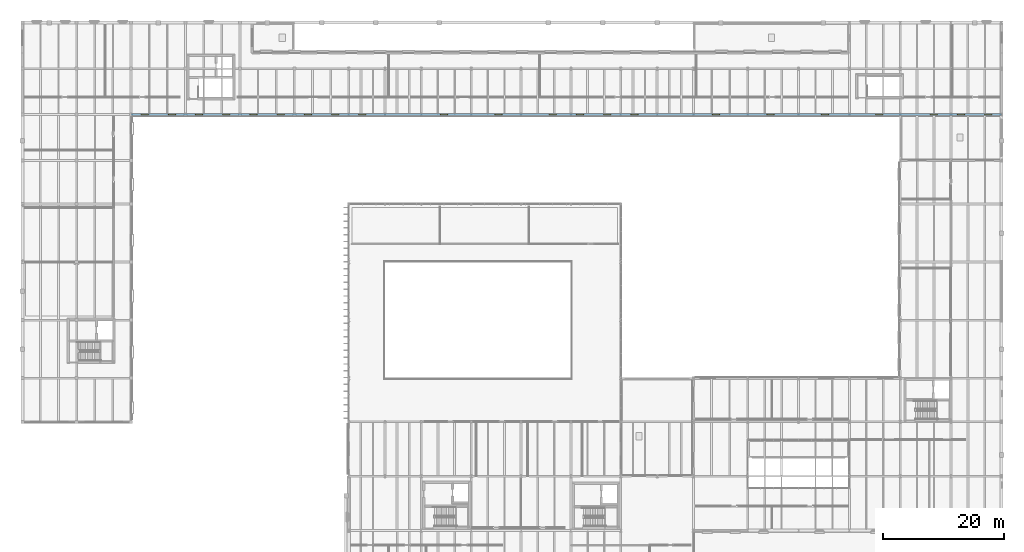
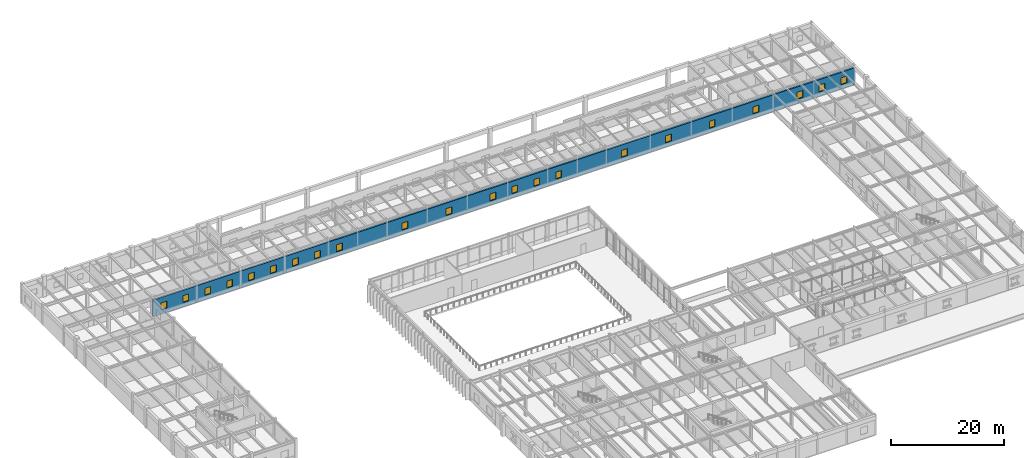
# One storey, part 49 of 64: 22 windows, 1 wall, 22 openings.
"""IFC4 building model written with IfcOpenShell, lengths in metres."""

from ifc_helpers import new_model, si_unit, direction, frame, frame_2d, origin, place, context, subcontext, project, spatial, rectangle, extrude, material, layer, layer_set, type_object, element, fill, save


model = new_model("IFC4")

# Units and contexts
model_context = context("Model", 3, precision=1e-05, world=origin(), true_north=direction((0.0, 1.0)))
body_context = subcontext(model_context, "Body", "Model", "MODEL_VIEW")
ifc_project = project(units=[si_unit("LENGTHUNIT", "METRE"), si_unit("AREAUNIT", "SQUARE_METRE"), si_unit("VOLUMEUNIT", "CUBIC_METRE"), si_unit("PLANEANGLEUNIT", "RADIAN"), si_unit("MASSUNIT", "GRAM", prefix="KILO")], contexts=[model_context])

# Site, building, storey
site_placement = place(None, origin())
site = spatial("IfcSite", under=ifc_project, at=site_placement, CompositionType="ELEMENT")
building_placement = place(site_placement, origin())
building = spatial("IfcBuilding", under=site, at=building_placement, Name="Montealbar Specialist Clinic", CompositionType="ELEMENT")
storey_placement = place(building_placement, frame((0.0, 0.0, 5.10009765625)))
storey = spatial("IfcBuildingStorey", under=building, at=storey_placement, Name="L01", CompositionType="ELEMENT", Elevation=5.10009765625)

# Wall, openings, windows
ifc_material_1 = material(Name="Guadarrama granite ashlar", Category="masonry")
ifc_layer = layer(ifc_material_1, 0.35009765625, Name="Guadarrama granite ashlar", Category="masonry")
ifc_layer_set = layer_set([ifc_layer], Name="Guadarrama granite ashlar")
wall_type = type_object("IfcWallType", Name="WL-EXT-GRANITE-350", PredefinedType="SOLIDWALL", material=ifc_layer_set)
wall_placement = place(storey_placement, frame((162.0, 95.800048828125, 0.0), z_axis=(0.0, 0.0, 1.0), x_axis=(-1.0, 0.0, 0.0)))
wall = element("IfcWall", 1, at=wall_placement, inside=storey, type_object=wall_type, Name="Exterior Facade Wall EW-L01-032", PredefinedType="SOLIDWALL", context=body_context, shape_type="SweptSolid", body=[
    extrude(rectangle(XDim=144.0, YDim=0.35009765625, at=frame_2d((72.0, 0.0))), origin(), (0.0, 0.0, 1.0), 3.6298828125),
])
opening_1_placement = place(wall_placement, frame((1.64990234375, 0.0, 0.949951171875)))
opening_1 = element("IfcOpeningElement", 2, at=opening_1_placement, cuts=wall, Name="Opening WN-01", PredefinedType="OPENING", context=body_context, shape_type="SweptSolid", body=[
    extrude(rectangle(XDim=1.199951171875, YDim=1.5, at=frame_2d((0.60009765625, 0.75))), frame((0.0, 0.18505859375, 0.0), z_axis=(0.0, -1.0, 0.0), x_axis=(1.0, 0.0, 0.0)), (0.0, 0.0, 1.0), 0.3701171875),
])
opening_2_placement = place(wall_placement, frame((6.14990234375, 0.0, 0.949951171875)))
opening_2 = element("IfcOpeningElement", 3, at=opening_2_placement, cuts=wall, Name="Opening WN-01", PredefinedType="OPENING", context=body_context, shape_type="SweptSolid", body=[
    extrude(rectangle(XDim=1.199951171875, YDim=1.5, at=frame_2d((0.60009765625, 0.75))), frame((0.0, 0.18505859375, 0.0), z_axis=(0.0, -1.0, 0.0), x_axis=(1.0, 0.0, 0.0)), (0.0, 0.0, 1.0), 0.3701171875),
])
opening_3_placement = place(wall_placement, frame((10.64990234375, 0.0, 0.949951171875)))
opening_3 = element("IfcOpeningElement", 4, at=opening_3_placement, cuts=wall, Name="Opening WN-01", PredefinedType="OPENING", context=body_context, shape_type="SweptSolid", body=[
    extrude(rectangle(XDim=1.199951171875, YDim=1.5, at=frame_2d((0.60009765625, 0.75))), frame((0.0, 0.18505859375, 0.0), z_axis=(0.0, -1.0, 0.0), x_axis=(1.0, 0.0, 0.0)), (0.0, 0.0, 1.0), 0.3701171875),
])
opening_4_placement = place(wall_placement, frame((19.64990234375, 0.0, 0.949951171875)))
opening_4 = element("IfcOpeningElement", 5, at=opening_4_placement, cuts=wall, Name="Opening WN-01", PredefinedType="OPENING", context=body_context, shape_type="SweptSolid", body=[
    extrude(rectangle(XDim=1.199951171875, YDim=1.5, at=frame_2d((0.60009765625, 0.75))), frame((0.0, 0.18505859375, 0.0), z_axis=(0.0, -1.0, 0.0), x_axis=(1.0, 0.0, 0.0)), (0.0, 0.0, 1.0), 0.3701171875),
])
opening_5_placement = place(wall_placement, frame((28.64990234375, 0.0, 0.949951171875)))
opening_5 = element("IfcOpeningElement", 6, at=opening_5_placement, cuts=wall, Name="Opening WN-01", PredefinedType="OPENING", context=body_context, shape_type="SweptSolid", body=[
    extrude(rectangle(XDim=1.199951171875, YDim=1.5, at=frame_2d((0.60009765625, 0.75))), frame((0.0, 0.18505859375, 0.0), z_axis=(0.0, -1.0, 0.0), x_axis=(1.0, 0.0, 0.0)), (0.0, 0.0, 1.0), 0.3701171875),
])
opening_6_placement = place(wall_placement, frame((37.64990234375, 0.0, 0.949951171875)))
opening_6 = element("IfcOpeningElement", 7, at=opening_6_placement, cuts=wall, Name="Opening WN-01", PredefinedType="OPENING", context=body_context, shape_type="SweptSolid", body=[
    extrude(rectangle(XDim=1.199951171875, YDim=1.5, at=frame_2d((0.60009765625, 0.75))), frame((0.0, 0.18505859375, 0.0), z_axis=(0.0, -1.0, 0.0), x_axis=(1.0, 0.0, 0.0)), (0.0, 0.0, 1.0), 0.3701171875),
])
opening_7_placement = place(wall_placement, frame((46.64990234375, 0.0, 0.949951171875)))
opening_7 = element("IfcOpeningElement", 8, at=opening_7_placement, cuts=wall, Name="Opening WN-01", PredefinedType="OPENING", context=body_context, shape_type="SweptSolid", body=[
    extrude(rectangle(XDim=1.199951171875, YDim=1.5, at=frame_2d((0.60009765625, 0.75))), frame((0.0, 0.18505859375, 0.0), z_axis=(0.0, -1.0, 0.0), x_axis=(1.0, 0.0, 0.0)), (0.0, 0.0, 1.0), 0.3701171875),
])
opening_8_placement = place(wall_placement, frame((60.14990234375, 0.0, 0.949951171875)))
opening_8 = element("IfcOpeningElement", 9, at=opening_8_placement, cuts=wall, Name="Opening WN-01", PredefinedType="OPENING", context=body_context, shape_type="SweptSolid", body=[
    extrude(rectangle(XDim=1.199951171875, YDim=1.5, at=frame_2d((0.60009765625, 0.75))), frame((0.0, 0.18505859375, 0.0), z_axis=(0.0, -1.0, 0.0), x_axis=(1.0, 0.0, 0.0)), (0.0, 0.0, 1.0), 0.3701171875),
])
opening_9_placement = place(wall_placement, frame((64.64990234375, 0.0, 0.949951171875)))
opening_9 = element("IfcOpeningElement", 10, at=opening_9_placement, cuts=wall, Name="Opening WN-01", PredefinedType="OPENING", context=body_context, shape_type="SweptSolid", body=[
    extrude(rectangle(XDim=1.199951171875, YDim=1.5, at=frame_2d((0.60009765625, 0.75))), frame((0.0, 0.18505859375, 0.0), z_axis=(0.0, -1.0, 0.0), x_axis=(1.0, 0.0, 0.0)), (0.0, 0.0, 1.0), 0.3701171875),
])
opening_10_placement = place(wall_placement, frame((69.14990234375, 0.0, 0.949951171875)))
opening_10 = element("IfcOpeningElement", 11, at=opening_10_placement, cuts=wall, Name="Opening WN-01", PredefinedType="OPENING", context=body_context, shape_type="SweptSolid", body=[
    extrude(rectangle(XDim=1.199951171875, YDim=1.5, at=frame_2d((0.60009765625, 0.75))), frame((0.0, 0.18505859375, 0.0), z_axis=(0.0, -1.0, 0.0), x_axis=(1.0, 0.0, 0.0)), (0.0, 0.0, 1.0), 0.3701171875),
])
opening_11_placement = place(wall_placement, frame((73.64990234375, 0.0, 0.949951171875)))
opening_11 = element("IfcOpeningElement", 12, at=opening_11_placement, cuts=wall, Name="Opening WN-01", PredefinedType="OPENING", context=body_context, shape_type="SweptSolid", body=[
    extrude(rectangle(XDim=1.199951171875, YDim=1.5, at=frame_2d((0.60009765625, 0.75))), frame((0.0, 0.18505859375, 0.0), z_axis=(0.0, -1.0, 0.0), x_axis=(1.0, 0.0, 0.0)), (0.0, 0.0, 1.0), 0.3701171875),
])
opening_12_placement = place(wall_placement, frame((82.64990234375, 0.0, 0.949951171875)))
opening_12 = element("IfcOpeningElement", 13, at=opening_12_placement, cuts=wall, Name="Opening WN-01", PredefinedType="OPENING", context=body_context, shape_type="SweptSolid", body=[
    extrude(rectangle(XDim=1.199951171875, YDim=1.5, at=frame_2d((0.60009765625, 0.75))), frame((0.0, 0.18505859375, 0.0), z_axis=(0.0, -1.0, 0.0), x_axis=(1.0, 0.0, 0.0)), (0.0, 0.0, 1.0), 0.3701171875),
])
opening_13_placement = place(wall_placement, frame((91.64990234375, 0.0, 0.949951171875)))
opening_13 = element("IfcOpeningElement", 14, at=opening_13_placement, cuts=wall, Name="Opening WN-01", PredefinedType="OPENING", context=body_context, shape_type="SweptSolid", body=[
    extrude(rectangle(XDim=1.199951171875, YDim=1.5, at=frame_2d((0.60009765625, 0.75))), frame((0.0, 0.18505859375, 0.0), z_axis=(0.0, -1.0, 0.0), x_axis=(1.0, 0.0, 0.0)), (0.0, 0.0, 1.0), 0.3701171875),
])
opening_14_placement = place(wall_placement, frame((105.14990234375, 0.0, 0.949951171875)))
opening_14 = element("IfcOpeningElement", 15, at=opening_14_placement, cuts=wall, Name="Opening WN-01", PredefinedType="OPENING", context=body_context, shape_type="SweptSolid", body=[
    extrude(rectangle(XDim=1.199951171875, YDim=1.5, at=frame_2d((0.60009765625, 0.75))), frame((0.0, 0.18505859375, 0.0), z_axis=(0.0, -1.0, 0.0), x_axis=(1.0, 0.0, 0.0)), (0.0, 0.0, 1.0), 0.3701171875),
])
opening_15_placement = place(wall_placement, frame((109.64990234375, 0.0, 0.949951171875)))
opening_15 = element("IfcOpeningElement", 16, at=opening_15_placement, cuts=wall, Name="Opening WN-01", PredefinedType="OPENING", context=body_context, shape_type="SweptSolid", body=[
    extrude(rectangle(XDim=1.199951171875, YDim=1.5, at=frame_2d((0.60009765625, 0.75))), frame((0.0, 0.18505859375, 0.0), z_axis=(0.0, -1.0, 0.0), x_axis=(1.0, 0.0, 0.0)), (0.0, 0.0, 1.0), 0.3701171875),
])
opening_16_placement = place(wall_placement, frame((114.14990234375, 0.0, 0.949951171875)))
opening_16 = element("IfcOpeningElement", 17, at=opening_16_placement, cuts=wall, Name="Opening WN-01", PredefinedType="OPENING", context=body_context, shape_type="SweptSolid", body=[
    extrude(rectangle(XDim=1.199951171875, YDim=1.5, at=frame_2d((0.60009765625, 0.75))), frame((0.0, 0.18505859375, 0.0), z_axis=(0.0, -1.0, 0.0), x_axis=(1.0, 0.0, 0.0)), (0.0, 0.0, 1.0), 0.3701171875),
])
opening_17_placement = place(wall_placement, frame((118.64990234375, 0.0, 0.949951171875)))
opening_17 = element("IfcOpeningElement", 18, at=opening_17_placement, cuts=wall, Name="Opening WN-01", PredefinedType="OPENING", context=body_context, shape_type="SweptSolid", body=[
    extrude(rectangle(XDim=1.199951171875, YDim=1.5, at=frame_2d((0.60009765625, 0.75))), frame((0.0, 0.18505859375, 0.0), z_axis=(0.0, -1.0, 0.0), x_axis=(1.0, 0.0, 0.0)), (0.0, 0.0, 1.0), 0.3701171875),
])
opening_18_placement = place(wall_placement, frame((123.14990234375, 0.0, 0.949951171875)))
opening_18 = element("IfcOpeningElement", 19, at=opening_18_placement, cuts=wall, Name="Opening WN-01", PredefinedType="OPENING", context=body_context, shape_type="SweptSolid", body=[
    extrude(rectangle(XDim=1.199951171875, YDim=1.5, at=frame_2d((0.60009765625, 0.75))), frame((0.0, 0.18505859375, 0.0), z_axis=(0.0, -1.0, 0.0), x_axis=(1.0, 0.0, 0.0)), (0.0, 0.0, 1.0), 0.3701171875),
])
opening_19_placement = place(wall_placement, frame((127.64990234375, 0.0, 0.949951171875)))
opening_19 = element("IfcOpeningElement", 20, at=opening_19_placement, cuts=wall, Name="Opening WN-01", PredefinedType="OPENING", context=body_context, shape_type="SweptSolid", body=[
    extrude(rectangle(XDim=1.199951171875, YDim=1.5, at=frame_2d((0.60009765625, 0.75))), frame((0.0, 0.18505859375, 0.0), z_axis=(0.0, -1.0, 0.0), x_axis=(1.0, 0.0, 0.0)), (0.0, 0.0, 1.0), 0.3701171875),
])
opening_20_placement = place(wall_placement, frame((132.14990234375, 0.0, 0.949951171875)))
opening_20 = element("IfcOpeningElement", 21, at=opening_20_placement, cuts=wall, Name="Opening WN-01", PredefinedType="OPENING", context=body_context, shape_type="SweptSolid", body=[
    extrude(rectangle(XDim=1.199951171875, YDim=1.5, at=frame_2d((0.60009765625, 0.75))), frame((0.0, 0.18505859375, 0.0), z_axis=(0.0, -1.0, 0.0), x_axis=(1.0, 0.0, 0.0)), (0.0, 0.0, 1.0), 0.3701171875),
])
opening_21_placement = place(wall_placement, frame((136.64990234375, 0.0, 0.949951171875)))
opening_21 = element("IfcOpeningElement", 22, at=opening_21_placement, cuts=wall, Name="Opening WN-01", PredefinedType="OPENING", context=body_context, shape_type="SweptSolid", body=[
    extrude(rectangle(XDim=1.199951171875, YDim=1.5, at=frame_2d((0.60009765625, 0.75))), frame((0.0, 0.18505859375, 0.0), z_axis=(0.0, -1.0, 0.0), x_axis=(1.0, 0.0, 0.0)), (0.0, 0.0, 1.0), 0.3701171875),
])
opening_22_placement = place(wall_placement, frame((141.14990234375, 0.0, 0.949951171875)))
opening_22 = element("IfcOpeningElement", 23, at=opening_22_placement, cuts=wall, Name="Opening WN-01", PredefinedType="OPENING", context=body_context, shape_type="SweptSolid", body=[
    extrude(rectangle(XDim=1.199951171875, YDim=1.5, at=frame_2d((0.60009765625, 0.75))), frame((0.0, 0.18505859375, 0.0), z_axis=(0.0, -1.0, 0.0), x_axis=(1.0, 0.0, 0.0)), (0.0, 0.0, 1.0), 0.3701171875),
])
ifc_material_2 = material(Name="Low-E double glazing", Category="glass")
window_type = type_object("IfcWindowType", Name="WIN-WN-01", PartitioningType="SINGLE_PANEL", PredefinedType="WINDOW", material=ifc_material_2)
window_1_placement = place(opening_1_placement, origin())
window_1 = element("IfcWindow", 24, at=window_1_placement, inside=storey, type_object=window_type, Name="Clinical Facade Window WN-01 L01-0102", OverallHeight=1.5, OverallWidth=1.199951171875, PartitioningType="SINGLE_PANEL", PredefinedType="WINDOW", context=body_context, shape_type="SweptSolid", body=[
    extrude(rectangle(XDim=1.199951171875, YDim=1.5, at=frame_2d((0.60009765625, 0.75))), frame((0.0, 0.030029296875, 0.0), z_axis=(0.0, -1.0, 0.0), x_axis=(1.0, 0.0, 0.0)), (0.0, 0.0, 1.0), 0.06005859375),
])
fill(opening_1, window_1)
window_2_placement = place(opening_2_placement, origin())
window_2 = element("IfcWindow", 25, at=window_2_placement, inside=storey, type_object=window_type, Name="Clinical Facade Window WN-01 L01-0103", OverallHeight=1.5, OverallWidth=1.199951171875, PartitioningType="SINGLE_PANEL", PredefinedType="WINDOW", context=body_context, shape_type="SweptSolid", body=[
    extrude(rectangle(XDim=1.199951171875, YDim=1.5, at=frame_2d((0.60009765625, 0.75))), frame((0.0, 0.030029296875, 0.0), z_axis=(0.0, -1.0, 0.0), x_axis=(1.0, 0.0, 0.0)), (0.0, 0.0, 1.0), 0.06005859375),
])
fill(opening_2, window_2)
window_3_placement = place(opening_3_placement, origin())
window_3 = element("IfcWindow", 26, at=window_3_placement, inside=storey, type_object=window_type, Name="Clinical Facade Window WN-01 L01-0104", OverallHeight=1.5, OverallWidth=1.199951171875, PartitioningType="SINGLE_PANEL", PredefinedType="WINDOW", context=body_context, shape_type="SweptSolid", body=[
    extrude(rectangle(XDim=1.199951171875, YDim=1.5, at=frame_2d((0.60009765625, 0.75))), frame((0.0, 0.030029296875, 0.0), z_axis=(0.0, -1.0, 0.0), x_axis=(1.0, 0.0, 0.0)), (0.0, 0.0, 1.0), 0.06005859375),
])
fill(opening_3, window_3)
window_4_placement = place(opening_4_placement, origin())
window_4 = element("IfcWindow", 27, at=window_4_placement, inside=storey, type_object=window_type, Name="Clinical Facade Window WN-01 L01-0105", OverallHeight=1.5, OverallWidth=1.199951171875, PartitioningType="SINGLE_PANEL", PredefinedType="WINDOW", context=body_context, shape_type="SweptSolid", body=[
    extrude(rectangle(XDim=1.199951171875, YDim=1.5, at=frame_2d((0.60009765625, 0.75))), frame((0.0, 0.030029296875, 0.0), z_axis=(0.0, -1.0, 0.0), x_axis=(1.0, 0.0, 0.0)), (0.0, 0.0, 1.0), 0.06005859375),
])
fill(opening_4, window_4)
window_5_placement = place(opening_5_placement, origin())
window_5 = element("IfcWindow", 28, at=window_5_placement, inside=storey, type_object=window_type, Name="Clinical Facade Window WN-01 L01-0106", OverallHeight=1.5, OverallWidth=1.199951171875, PartitioningType="SINGLE_PANEL", PredefinedType="WINDOW", context=body_context, shape_type="SweptSolid", body=[
    extrude(rectangle(XDim=1.199951171875, YDim=1.5, at=frame_2d((0.60009765625, 0.75))), frame((0.0, 0.030029296875, 0.0), z_axis=(0.0, -1.0, 0.0), x_axis=(1.0, 0.0, 0.0)), (0.0, 0.0, 1.0), 0.06005859375),
])
fill(opening_5, window_5)
window_6_placement = place(opening_6_placement, origin())
window_6 = element("IfcWindow", 29, at=window_6_placement, inside=storey, type_object=window_type, Name="Clinical Facade Window WN-01 L01-0107", OverallHeight=1.5, OverallWidth=1.199951171875, PartitioningType="SINGLE_PANEL", PredefinedType="WINDOW", context=body_context, shape_type="SweptSolid", body=[
    extrude(rectangle(XDim=1.199951171875, YDim=1.5, at=frame_2d((0.60009765625, 0.75))), frame((0.0, 0.030029296875, 0.0), z_axis=(0.0, -1.0, 0.0), x_axis=(1.0, 0.0, 0.0)), (0.0, 0.0, 1.0), 0.06005859375),
])
fill(opening_6, window_6)
window_7_placement = place(opening_7_placement, origin())
window_7 = element("IfcWindow", 30, at=window_7_placement, inside=storey, type_object=window_type, Name="Clinical Facade Window WN-01 L01-0108", OverallHeight=1.5, OverallWidth=1.199951171875, PartitioningType="SINGLE_PANEL", PredefinedType="WINDOW", context=body_context, shape_type="SweptSolid", body=[
    extrude(rectangle(XDim=1.199951171875, YDim=1.5, at=frame_2d((0.60009765625, 0.75))), frame((0.0, 0.030029296875, 0.0), z_axis=(0.0, -1.0, 0.0), x_axis=(1.0, 0.0, 0.0)), (0.0, 0.0, 1.0), 0.06005859375),
])
fill(opening_7, window_7)
window_8_placement = place(opening_8_placement, origin())
window_8 = element("IfcWindow", 31, at=window_8_placement, inside=storey, type_object=window_type, Name="Clinical Facade Window WN-01 L01-0109", OverallHeight=1.5, OverallWidth=1.199951171875, PartitioningType="SINGLE_PANEL", PredefinedType="WINDOW", context=body_context, shape_type="SweptSolid", body=[
    extrude(rectangle(XDim=1.199951171875, YDim=1.5, at=frame_2d((0.60009765625, 0.75))), frame((0.0, 0.030029296875, 0.0), z_axis=(0.0, -1.0, 0.0), x_axis=(1.0, 0.0, 0.0)), (0.0, 0.0, 1.0), 0.06005859375),
])
fill(opening_8, window_8)
window_9_placement = place(opening_9_placement, origin())
window_9 = element("IfcWindow", 32, at=window_9_placement, inside=storey, type_object=window_type, Name="Clinical Facade Window WN-01 L01-0110", OverallHeight=1.5, OverallWidth=1.199951171875, PartitioningType="SINGLE_PANEL", PredefinedType="WINDOW", context=body_context, shape_type="SweptSolid", body=[
    extrude(rectangle(XDim=1.199951171875, YDim=1.5, at=frame_2d((0.60009765625, 0.75))), frame((0.0, 0.030029296875, 0.0), z_axis=(0.0, -1.0, 0.0), x_axis=(1.0, 0.0, 0.0)), (0.0, 0.0, 1.0), 0.06005859375),
])
fill(opening_9, window_9)
window_10_placement = place(opening_10_placement, origin())
window_10 = element("IfcWindow", 33, at=window_10_placement, inside=storey, type_object=window_type, Name="Clinical Facade Window WN-01 L01-0111", OverallHeight=1.5, OverallWidth=1.199951171875, PartitioningType="SINGLE_PANEL", PredefinedType="WINDOW", context=body_context, shape_type="SweptSolid", body=[
    extrude(rectangle(XDim=1.199951171875, YDim=1.5, at=frame_2d((0.60009765625, 0.75))), frame((0.0, 0.030029296875, 0.0), z_axis=(0.0, -1.0, 0.0), x_axis=(1.0, 0.0, 0.0)), (0.0, 0.0, 1.0), 0.06005859375),
])
fill(opening_10, window_10)
window_11_placement = place(opening_11_placement, origin())
window_11 = element("IfcWindow", 34, at=window_11_placement, inside=storey, type_object=window_type, Name="Clinical Facade Window WN-01 L01-0112", OverallHeight=1.5, OverallWidth=1.199951171875, PartitioningType="SINGLE_PANEL", PredefinedType="WINDOW", context=body_context, shape_type="SweptSolid", body=[
    extrude(rectangle(XDim=1.199951171875, YDim=1.5, at=frame_2d((0.60009765625, 0.75))), frame((0.0, 0.030029296875, 0.0), z_axis=(0.0, -1.0, 0.0), x_axis=(1.0, 0.0, 0.0)), (0.0, 0.0, 1.0), 0.06005859375),
])
fill(opening_11, window_11)
window_12_placement = place(opening_12_placement, origin())
window_12 = element("IfcWindow", 35, at=window_12_placement, inside=storey, type_object=window_type, Name="Clinical Facade Window WN-01 L01-0113", OverallHeight=1.5, OverallWidth=1.199951171875, PartitioningType="SINGLE_PANEL", PredefinedType="WINDOW", context=body_context, shape_type="SweptSolid", body=[
    extrude(rectangle(XDim=1.199951171875, YDim=1.5, at=frame_2d((0.60009765625, 0.75))), frame((0.0, 0.030029296875, 0.0), z_axis=(0.0, -1.0, 0.0), x_axis=(1.0, 0.0, 0.0)), (0.0, 0.0, 1.0), 0.06005859375),
])
fill(opening_12, window_12)
window_13_placement = place(opening_13_placement, origin())
window_13 = element("IfcWindow", 36, at=window_13_placement, inside=storey, type_object=window_type, Name="Clinical Facade Window WN-01 L01-0114", OverallHeight=1.5, OverallWidth=1.199951171875, PartitioningType="SINGLE_PANEL", PredefinedType="WINDOW", context=body_context, shape_type="SweptSolid", body=[
    extrude(rectangle(XDim=1.199951171875, YDim=1.5, at=frame_2d((0.60009765625, 0.75))), frame((0.0, 0.030029296875, 0.0), z_axis=(0.0, -1.0, 0.0), x_axis=(1.0, 0.0, 0.0)), (0.0, 0.0, 1.0), 0.06005859375),
])
fill(opening_13, window_13)
window_14_placement = place(opening_14_placement, origin())
window_14 = element("IfcWindow", 37, at=window_14_placement, inside=storey, type_object=window_type, Name="Clinical Facade Window WN-01 L01-0115", OverallHeight=1.5, OverallWidth=1.199951171875, PartitioningType="SINGLE_PANEL", PredefinedType="WINDOW", context=body_context, shape_type="SweptSolid", body=[
    extrude(rectangle(XDim=1.199951171875, YDim=1.5, at=frame_2d((0.60009765625, 0.75))), frame((0.0, 0.030029296875, 0.0), z_axis=(0.0, -1.0, 0.0), x_axis=(1.0, 0.0, 0.0)), (0.0, 0.0, 1.0), 0.06005859375),
])
fill(opening_14, window_14)
window_15_placement = place(opening_15_placement, origin())
window_15 = element("IfcWindow", 38, at=window_15_placement, inside=storey, type_object=window_type, Name="Clinical Facade Window WN-01 L01-0116", OverallHeight=1.5, OverallWidth=1.199951171875, PartitioningType="SINGLE_PANEL", PredefinedType="WINDOW", context=body_context, shape_type="SweptSolid", body=[
    extrude(rectangle(XDim=1.199951171875, YDim=1.5, at=frame_2d((0.60009765625, 0.75))), frame((0.0, 0.030029296875, 0.0), z_axis=(0.0, -1.0, 0.0), x_axis=(1.0, 0.0, 0.0)), (0.0, 0.0, 1.0), 0.06005859375),
])
fill(opening_15, window_15)
window_16_placement = place(opening_16_placement, origin())
window_16 = element("IfcWindow", 39, at=window_16_placement, inside=storey, type_object=window_type, Name="Clinical Facade Window WN-01 L01-0117", OverallHeight=1.5, OverallWidth=1.199951171875, PartitioningType="SINGLE_PANEL", PredefinedType="WINDOW", context=body_context, shape_type="SweptSolid", body=[
    extrude(rectangle(XDim=1.199951171875, YDim=1.5, at=frame_2d((0.60009765625, 0.75))), frame((0.0, 0.030029296875, 0.0), z_axis=(0.0, -1.0, 0.0), x_axis=(1.0, 0.0, 0.0)), (0.0, 0.0, 1.0), 0.06005859375),
])
fill(opening_16, window_16)
window_17_placement = place(opening_17_placement, origin())
window_17 = element("IfcWindow", 40, at=window_17_placement, inside=storey, type_object=window_type, Name="Clinical Facade Window WN-01 L01-0118", OverallHeight=1.5, OverallWidth=1.199951171875, PartitioningType="SINGLE_PANEL", PredefinedType="WINDOW", context=body_context, shape_type="SweptSolid", body=[
    extrude(rectangle(XDim=1.199951171875, YDim=1.5, at=frame_2d((0.60009765625, 0.75))), frame((0.0, 0.030029296875, 0.0), z_axis=(0.0, -1.0, 0.0), x_axis=(1.0, 0.0, 0.0)), (0.0, 0.0, 1.0), 0.06005859375),
])
fill(opening_17, window_17)
window_18_placement = place(opening_18_placement, origin())
window_18 = element("IfcWindow", 41, at=window_18_placement, inside=storey, type_object=window_type, Name="Clinical Facade Window WN-01 L01-0119", OverallHeight=1.5, OverallWidth=1.199951171875, PartitioningType="SINGLE_PANEL", PredefinedType="WINDOW", context=body_context, shape_type="SweptSolid", body=[
    extrude(rectangle(XDim=1.199951171875, YDim=1.5, at=frame_2d((0.60009765625, 0.75))), frame((0.0, 0.030029296875, 0.0), z_axis=(0.0, -1.0, 0.0), x_axis=(1.0, 0.0, 0.0)), (0.0, 0.0, 1.0), 0.06005859375),
])
fill(opening_18, window_18)
window_19_placement = place(opening_19_placement, origin())
window_19 = element("IfcWindow", 42, at=window_19_placement, inside=storey, type_object=window_type, Name="Clinical Facade Window WN-01 L01-0120", OverallHeight=1.5, OverallWidth=1.199951171875, PartitioningType="SINGLE_PANEL", PredefinedType="WINDOW", context=body_context, shape_type="SweptSolid", body=[
    extrude(rectangle(XDim=1.199951171875, YDim=1.5, at=frame_2d((0.60009765625, 0.75))), frame((0.0, 0.030029296875, 0.0), z_axis=(0.0, -1.0, 0.0), x_axis=(1.0, 0.0, 0.0)), (0.0, 0.0, 1.0), 0.06005859375),
])
fill(opening_19, window_19)
window_20_placement = place(opening_20_placement, origin())
window_20 = element("IfcWindow", 43, at=window_20_placement, inside=storey, type_object=window_type, Name="Clinical Facade Window WN-01 L01-0121", OverallHeight=1.5, OverallWidth=1.199951171875, PartitioningType="SINGLE_PANEL", PredefinedType="WINDOW", context=body_context, shape_type="SweptSolid", body=[
    extrude(rectangle(XDim=1.199951171875, YDim=1.5, at=frame_2d((0.60009765625, 0.75))), frame((0.0, 0.030029296875, 0.0), z_axis=(0.0, -1.0, 0.0), x_axis=(1.0, 0.0, 0.0)), (0.0, 0.0, 1.0), 0.06005859375),
])
fill(opening_20, window_20)
window_21_placement = place(opening_21_placement, origin())
window_21 = element("IfcWindow", 44, at=window_21_placement, inside=storey, type_object=window_type, Name="Clinical Facade Window WN-01 L01-0122", OverallHeight=1.5, OverallWidth=1.199951171875, PartitioningType="SINGLE_PANEL", PredefinedType="WINDOW", context=body_context, shape_type="SweptSolid", body=[
    extrude(rectangle(XDim=1.199951171875, YDim=1.5, at=frame_2d((0.60009765625, 0.75))), frame((0.0, 0.030029296875, 0.0), z_axis=(0.0, -1.0, 0.0), x_axis=(1.0, 0.0, 0.0)), (0.0, 0.0, 1.0), 0.06005859375),
])
fill(opening_21, window_21)
window_22_placement = place(opening_22_placement, origin())
window_22 = element("IfcWindow", 45, at=window_22_placement, inside=storey, type_object=window_type, Name="Clinical Facade Window WN-01 L01-0123", OverallHeight=1.5, OverallWidth=1.199951171875, PartitioningType="SINGLE_PANEL", PredefinedType="WINDOW", context=body_context, shape_type="SweptSolid", body=[
    extrude(rectangle(XDim=1.199951171875, YDim=1.5, at=frame_2d((0.60009765625, 0.75))), frame((0.0, 0.030029296875, 0.0), z_axis=(0.0, -1.0, 0.0), x_axis=(1.0, 0.0, 0.0)), (0.0, 0.0, 1.0), 0.06005859375),
])
fill(opening_22, window_22)

save(model, "model.ifc")
